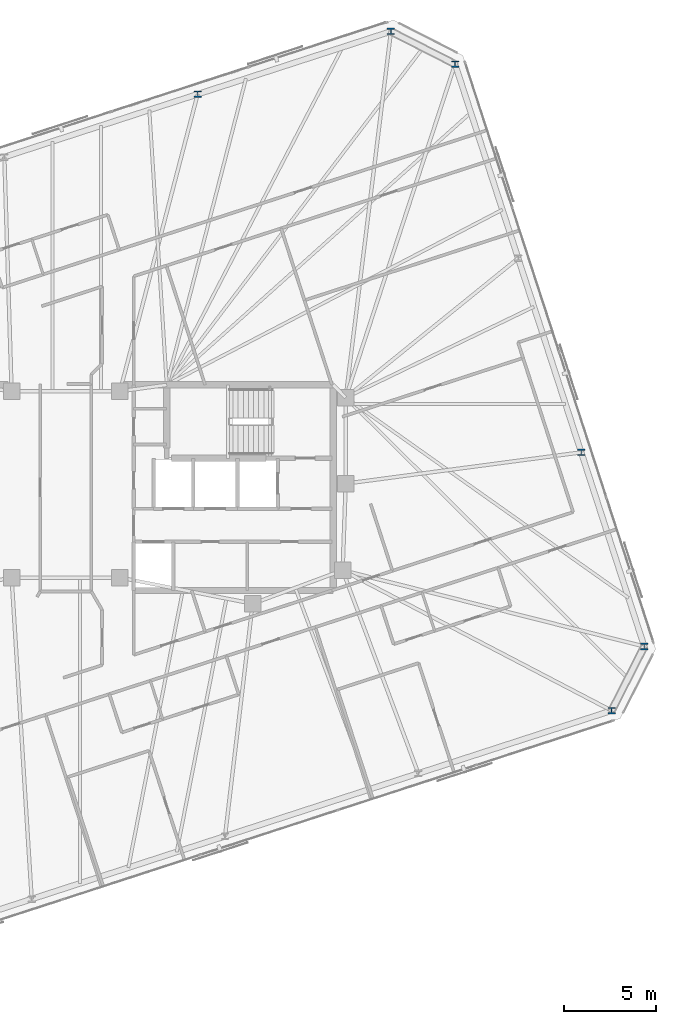
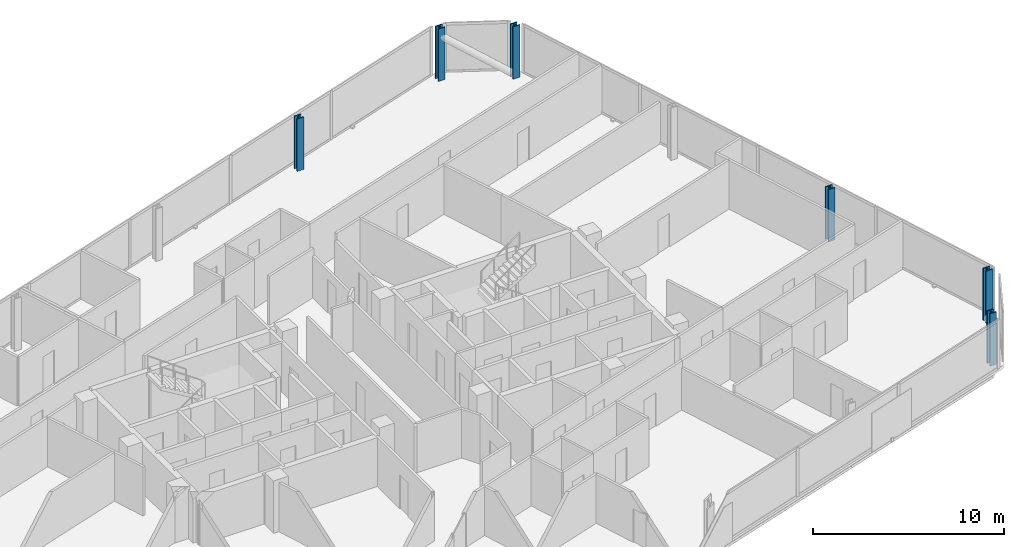
# One storey, part 4 of 19: 6 columns.
"""IFC4 building model written with IfcOpenShell, lengths in metres."""

import ifcopenshell
import ifcopenshell.guid

model = None  # the IFC model being written
_history = None  # IfcOwnerHistory: only IFC2X3 demands one
_inside = {}  # id of a spatial element -> (the spatial element, [elements in it])
_under = {}  # id of a project, library or spatial element -> (it, [spatial elements below it])
_declared = {}  # id of a project -> (the project, [libraries it declares])
_typed = {}  # id of a type object -> (the type object, [elements of that type])
_made_of = {}  # id of a material, layer set ... -> (it, [elements and type objects made of it])


def new_model(schema):
    """Start an empty IFC model of exactly this schema.

    Asked for "IFC4X3", IfcOpenShell would pick the latest addendum, in which some entities
    have other attributes; the version numbers below select the first issue.
    IFC2X3 requires an IfcOwnerHistory on every rooted entity: one is made here for all.
    """
    global model, _history
    if schema == "IFC4X3":
        model = ifcopenshell.file(schema_version=(4, 3, 0, 0))
    else:
        model = ifcopenshell.file(schema=schema)
    _inside.clear()
    _under.clear()
    _declared.clear()
    _typed.clear()
    _made_of.clear()
    _history = None
    if model.schema == "IFC2X3":
        org = make("IfcOrganization", Name="unknown")
        user = make(
            "IfcPersonAndOrganization",
            ThePerson=make("IfcPerson", FamilyName="unknown"),
            TheOrganization=org,
        )
        app = make(
            "IfcApplication",
            ApplicationDeveloper=org,
            Version="unknown",
            ApplicationFullName="unknown",
            ApplicationIdentifier="unknown",
        )
        _history = make(
            "IfcOwnerHistory",
            OwningUser=user,
            OwningApplication=app,
            ChangeAction="ADDED",
            CreationDate=0,
        )
    return model


def make(cls, **values):
    """One entity of the class cls with the attributes given. An attribute that is None is left unset."""
    return model.create_entity(
        cls, **{name: value for name, value in values.items() if value is not None}
    )


def rooted(cls, **values):
    """An entity with a GlobalId (a new one), such as an element, a storey or a relation."""
    return make(cls, GlobalId=ifcopenshell.guid.new(), OwnerHistory=_history, **values)


def si_unit(unit_type, name, prefix=None):
    """IfcSIUnit, for example si_unit("LENGTHUNIT", "METRE", prefix="MILLI")."""
    return make("IfcSIUnit", UnitType=unit_type, Prefix=prefix, Name=name)


def assignment(units):
    """IfcUnitAssignment: the units of a project."""
    return None if units is None else make("IfcUnitAssignment", Units=units)


def point(xyz):
    """IfcCartesianPoint."""
    return None if xyz is None else make("IfcCartesianPoint", Coordinates=xyz)


def direction(xyz):
    """IfcDirection."""
    return None if xyz is None else make("IfcDirection", DirectionRatios=xyz)


def frame(location, z_axis=None, x_axis=None):
    """IfcAxis2Placement3D, a coordinate frame: its origin and axes. An axis left out is left unset."""
    return make(
        "IfcAxis2Placement3D",
        Location=point(location),
        Axis=direction(z_axis),
        RefDirection=direction(x_axis),
    )


def frame_2d(location, x_axis=None):
    """IfcAxis2Placement2D, a coordinate frame in the plane: its origin and x axis."""
    return make(
        "IfcAxis2Placement2D", Location=point(location), RefDirection=direction(x_axis)
    )


def origin():
    """The frame at (0, 0, 0) with its axes left unset."""
    return frame((0.0, 0.0, 0.0))


def origin_2d():
    """The frame at (0, 0) in the plane with its x axis left unset."""
    return frame_2d((0.0, 0.0))


def place(relative_to, where):
    """IfcLocalPlacement: puts the frame where relative to a parent placement (None: the world)."""
    return make(
        "IfcLocalPlacement", PlacementRelTo=relative_to, RelativePlacement=where
    )


def context(
    kind, dimensions, precision=None, world=None, true_north=None, identifier=None
):
    """IfcGeometricRepresentationContext, for example the 3D "Model" context."""
    return make(
        "IfcGeometricRepresentationContext",
        ContextIdentifier=identifier,
        ContextType=kind,
        CoordinateSpaceDimension=dimensions,
        Precision=precision,
        WorldCoordinateSystem=world,
        TrueNorth=true_north,
    )


def subcontext(parent, identifier, kind, view, scale=None):
    """IfcGeometricRepresentationSubContext, for example "Body" below "Model"."""
    return make(
        "IfcGeometricRepresentationSubContext",
        ContextIdentifier=identifier,
        ContextType=kind,
        ParentContext=parent,
        TargetScale=scale,
        TargetView=view,
    )


def project(units=None, contexts=None):
    """IfcProject with its units and contexts."""
    return rooted(
        "IfcProject",
        Name="project",
        RepresentationContexts=contexts,
        UnitsInContext=assignment(units),
    )


def spatial(cls, under=None, at=None, **own):
    """A site, building, storey or space (cls), placed at a placement, below another one or the project."""
    s = rooted(cls, ObjectPlacement=at, **own)
    if under is not None:
        _under.setdefault(under.id(), (under, []))[1].append(s)
    return s


def profile(cls, at=None, kind="AREA", **sizes):
    """A parametric profile (cls). Its sizes go by their IFC names, for example OverallWidth=200.0."""
    return make(cls, ProfileType=kind, Position=at, **sizes)


def i_section(**sizes):
    """IfcIShapeProfileDef."""
    return profile("IfcIShapeProfileDef", **sizes)


def extrude(swept, where, along, depth):
    """IfcExtrudedAreaSolid: the profile swept, set in the frame where, extruded along a direction by depth."""
    return make(
        "IfcExtrudedAreaSolid",
        SweptArea=swept,
        Position=where,
        ExtrudedDirection=direction(along),
        Depth=depth,
    )


def shape(context_of_items, identifier, shape_type, items):
    """IfcShapeRepresentation: the items that make up one representation, for example the "Body"."""
    return make(
        "IfcShapeRepresentation",
        ContextOfItems=context_of_items,
        RepresentationIdentifier=identifier,
        RepresentationType=shape_type,
        Items=items,
    )


def material(Name=None, Category=None):
    """IfcMaterial."""
    return make("IfcMaterial", Name=Name, Category=Category)


def material_profile(
    of_material, cross_section, Name=None, Category=None, Priority=None
):
    """IfcMaterialProfile: a cross section and its material."""
    return make(
        "IfcMaterialProfile",
        Name=Name,
        Material=of_material,
        Profile=cross_section,
        Priority=Priority,
        Category=Category,
    )


def profile_set(profiles, Name=None, composite=None):
    """IfcMaterialProfileSet."""
    return make(
        "IfcMaterialProfileSet",
        Name=Name,
        MaterialProfiles=profiles,
        CompositeProfile=composite,
    )


def made_of(thing, what):
    """Note that an element or type object is made of a material, layer set ...; save() writes the relation."""
    if what is not None:
        _made_of.setdefault(what.id(), (what, []))[1].append(thing)
    return thing


def type_object(cls, material=None, **own):
    """A type object (cls), such as IfcWallType, which elements share."""
    return made_of(rooted(cls, **own), material)


def element(
    cls,
    number,
    at=None,
    inside=None,
    cuts=None,
    type_object=None,
    material=None,
    context=None,
    identifier="Body",
    shape_type=None,
    held_by="IfcProductDefinitionShape",
    body=None,
    shapes=None,
    **own,
):
    """One element of the class cls, such as IfcWall. Its Tag is "e" and its number.

    at: its placement. inside: the storey or other place that contains it. cuts: it is an
    opening in that element (IfcRelVoidsElement). A single representation is given by context,
    identifier, shape_type and body (its items); several are given by shapes. held_by: the class
    of the entity that holds the representations. save() writes the other relations.
    """
    e = rooted(cls, Tag="e%d" % number, ObjectPlacement=at, **own)
    if body is not None:
        shapes = [shape(context, identifier, shape_type, body)]
    if shapes is not None:
        e.Representation = make(held_by, Representations=shapes)
    if inside is not None:
        _inside.setdefault(inside.id(), (inside, []))[1].append(e)
    if cuts is not None:
        rooted(
            "IfcRelVoidsElement", RelatingBuildingElement=cuts, RelatedOpeningElement=e
        )
    if type_object is not None:
        _typed.setdefault(type_object.id(), (type_object, []))[1].append(e)
    return made_of(e, material)


def aggregate(whole, parts):
    """IfcRelAggregates: a whole, such as a stair, and the parts it consists of."""
    return rooted("IfcRelAggregates", RelatingObject=whole, RelatedObjects=parts)


def save(model, path):
    """Write the relations noted so far, then the file.

    IfcRelAggregates (storeys below a building ...), IfcRelContainedInSpatialStructure (elements
    in a storey), IfcRelDefinesByType, IfcRelAssociatesMaterial and IfcRelDeclares: one each for
    every whole, place, type object, material and project.
    """
    for whole, parts in _under.values():
        aggregate(whole, parts)
    for where, things in _inside.values():
        rooted(
            "IfcRelContainedInSpatialStructure",
            RelatedElements=things,
            RelatingStructure=where,
        )
    for kind, things in _typed.values():
        rooted("IfcRelDefinesByType", RelatedObjects=things, RelatingType=kind)
    for what, things in _made_of.values():
        rooted("IfcRelAssociatesMaterial", RelatedObjects=things, RelatingMaterial=what)
    for by, libraries in _declared.values():
        rooted("IfcRelDeclares", RelatingContext=by, RelatedDefinitions=libraries)
    model.write(path)


model = new_model("IFC4")

# Units and contexts
model_context = context("Model", 3, precision=1e-05, world=origin(), true_north=direction((0.0, 1.0)))
body_context = subcontext(model_context, "Body", "Model", "MODEL_VIEW")
ifc_project = project(units=[si_unit("LENGTHUNIT", "METRE"), si_unit("AREAUNIT", "SQUARE_METRE"), si_unit("VOLUMEUNIT", "CUBIC_METRE"), si_unit("PLANEANGLEUNIT", "RADIAN"), si_unit("MASSUNIT", "GRAM", prefix="KILO")], contexts=[model_context])

# Site, building, storey
site_placement = place(None, origin())
site = spatial("IfcSite", under=ifc_project, at=site_placement, CompositionType="ELEMENT")
building_placement = place(site_placement, origin())
building = spatial("IfcBuilding", under=site, at=building_placement, Name="Menara Jurai Vektor", CompositionType="ELEMENT")
storey_placement = place(building_placement, frame((0.0, 0.0, 241.050048828125)))
storey = spatial("IfcBuildingStorey", under=building, at=storey_placement, Name="L64", CompositionType="ELEMENT", Elevation=241.050048828125)

# Columns
ifc_material = material(Name="Steel S460", Category="steel")
ifc_material_profile = material_profile(ifc_material, i_section(OverallWidth=0.405029296875, OverallDepth=0.35498046875, WebThickness=0.0419921875, FlangeThickness=0.068115234375, FilletRadius=0.014892578125, at=origin_2d()), Name="HD 400x551")
ifc_profile_set = profile_set([ifc_material_profile], Name="Steel S460")
column_type = type_object("IfcColumnType", Name="STR-EXO-BLK4", PredefinedType="COLUMN", material=ifc_profile_set)
for number, where, z_axis, x_axis, name in (
    (1, (29.733642578125, -12.14501953125, 0.0), (0.0, 0.0, 1.0), (1.0, 0.0, 0.0), "Exoskeleton Column BLK4-S6 L64"),
    (2, (31.513427734375, -8.652099609375, 0.0), (0.0, 0.0, 1.0), (1.0, 0.0, 0.0), "Exoskeleton Column BLK4-E1 L64"),
    (3, (28.07763671875, 1.92236328125, 0.0), (0.0, 0.0, 1.0), (1.0, 0.0, 0.0), "Exoskeleton Column BLK4-E2 L64"),
    (4, (21.2060546875, 23.071044921875, 0.0), (0.0, 0.0, 1.0), (1.0, 0.0, 0.0), "Exoskeleton Column BLK4-E4 L64"),
    (5, (17.712890625, 24.85107421875, 0.0), (0.0, 0.0, 1.0), (1.0, 0.0, 0.0), "Exoskeleton Column BLK4-N1 L64"),
    (6, (7.18359375, 21.4296875, 0.0), (0.0, 0.0, 1.0), (1.0, 0.0, 0.0), "Exoskeleton Column BLK4-N2 L64"),
):
    element("IfcColumn", number, at=place(storey_placement, frame(where, z_axis=z_axis, x_axis=x_axis)), inside=storey, type_object=column_type, Name=name, PredefinedType="COLUMN", context=body_context, shape_type="SweptSolid", body=[
        extrude(i_section(OverallWidth=0.405029296875, OverallDepth=0.35498046875, WebThickness=0.0419921875, FlangeThickness=0.068115234375, FilletRadius=0.014892578125, at=origin_2d()), origin(), (0.0, 0.0, 1.0), 3.349853515625),
    ])

save(model, "model.ifc")
